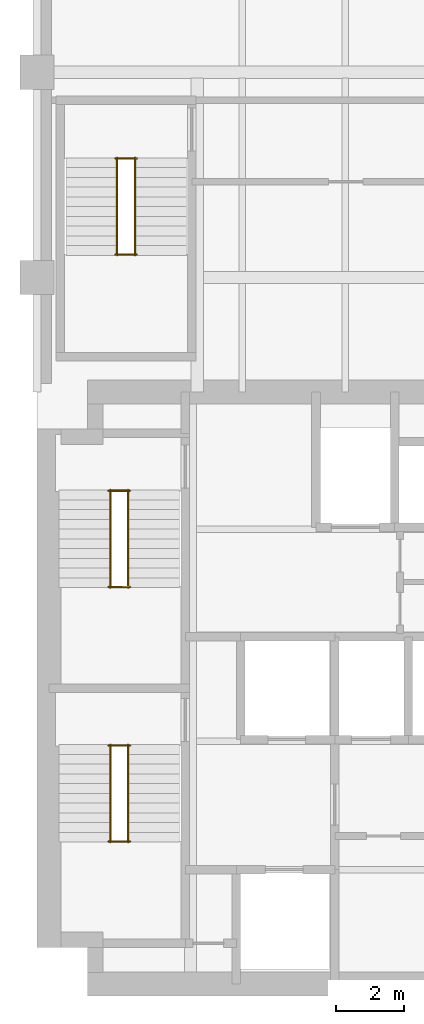
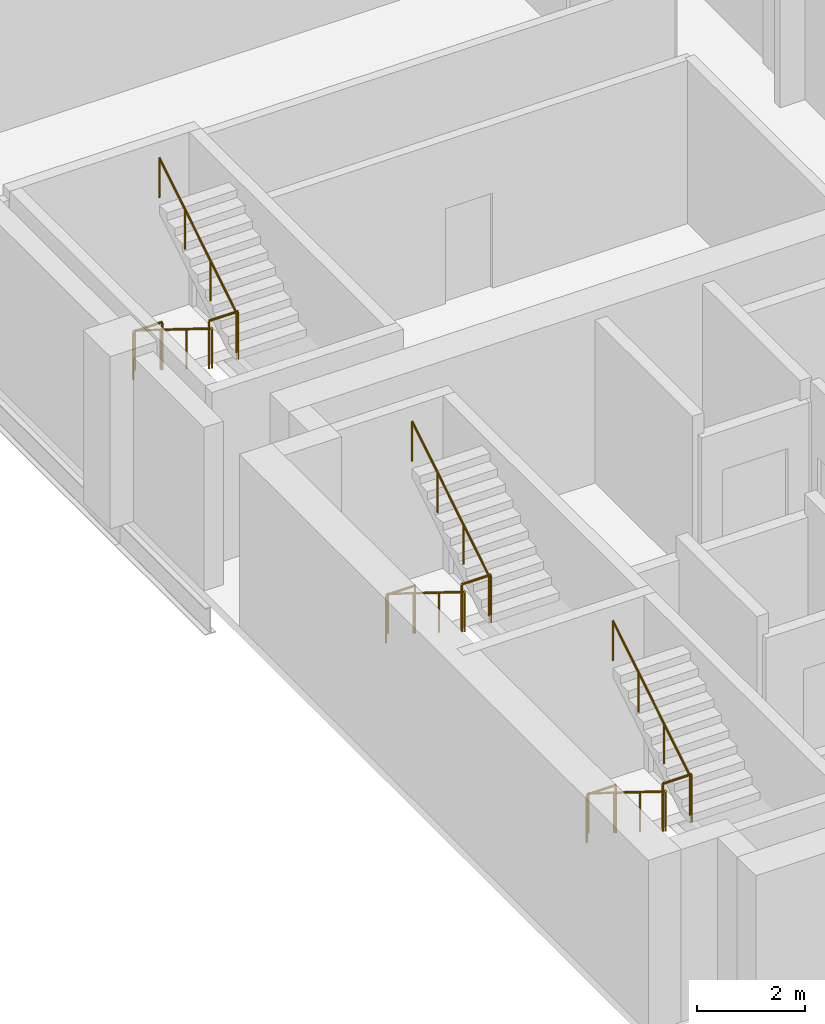
# One storey, part 8 of 8: 12 railings.
"""IFC4 building model written with IfcOpenShell, lengths in metres."""

import ifcopenshell
import ifcopenshell.guid

model = None  # the IFC model being written
_history = None  # IfcOwnerHistory: only IFC2X3 demands one
_inside = {}  # id of a spatial element -> (the spatial element, [elements in it])
_under = {}  # id of a project, library or spatial element -> (it, [spatial elements below it])
_declared = {}  # id of a project -> (the project, [libraries it declares])
_typed = {}  # id of a type object -> (the type object, [elements of that type])
_made_of = {}  # id of a material, layer set ... -> (it, [elements and type objects made of it])


def new_model(schema):
    """Start an empty IFC model of exactly this schema.

    Asked for "IFC4X3", IfcOpenShell would pick the latest addendum, in which some entities
    have other attributes; the version numbers below select the first issue.
    IFC2X3 requires an IfcOwnerHistory on every rooted entity: one is made here for all.
    """
    global model, _history
    if schema == "IFC4X3":
        model = ifcopenshell.file(schema_version=(4, 3, 0, 0))
    else:
        model = ifcopenshell.file(schema=schema)
    _inside.clear()
    _under.clear()
    _declared.clear()
    _typed.clear()
    _made_of.clear()
    _history = None
    if model.schema == "IFC2X3":
        org = make("IfcOrganization", Name="unknown")
        user = make(
            "IfcPersonAndOrganization",
            ThePerson=make("IfcPerson", FamilyName="unknown"),
            TheOrganization=org,
        )
        app = make(
            "IfcApplication",
            ApplicationDeveloper=org,
            Version="unknown",
            ApplicationFullName="unknown",
            ApplicationIdentifier="unknown",
        )
        _history = make(
            "IfcOwnerHistory",
            OwningUser=user,
            OwningApplication=app,
            ChangeAction="ADDED",
            CreationDate=0,
        )
    return model


def make(cls, **values):
    """One entity of the class cls with the attributes given. An attribute that is None is left unset."""
    return model.create_entity(
        cls, **{name: value for name, value in values.items() if value is not None}
    )


def rooted(cls, **values):
    """An entity with a GlobalId (a new one), such as an element, a storey or a relation."""
    return make(cls, GlobalId=ifcopenshell.guid.new(), OwnerHistory=_history, **values)


def si_unit(unit_type, name, prefix=None):
    """IfcSIUnit, for example si_unit("LENGTHUNIT", "METRE", prefix="MILLI")."""
    return make("IfcSIUnit", UnitType=unit_type, Prefix=prefix, Name=name)


def assignment(units):
    """IfcUnitAssignment: the units of a project."""
    return None if units is None else make("IfcUnitAssignment", Units=units)


def point(xyz):
    """IfcCartesianPoint."""
    return None if xyz is None else make("IfcCartesianPoint", Coordinates=xyz)


def direction(xyz):
    """IfcDirection."""
    return None if xyz is None else make("IfcDirection", DirectionRatios=xyz)


def frame(location, z_axis=None, x_axis=None):
    """IfcAxis2Placement3D, a coordinate frame: its origin and axes. An axis left out is left unset."""
    return make(
        "IfcAxis2Placement3D",
        Location=point(location),
        Axis=direction(z_axis),
        RefDirection=direction(x_axis),
    )


def frame_2d(location, x_axis=None):
    """IfcAxis2Placement2D, a coordinate frame in the plane: its origin and x axis."""
    return make(
        "IfcAxis2Placement2D", Location=point(location), RefDirection=direction(x_axis)
    )


def origin():
    """The frame at (0, 0, 0) with its axes left unset."""
    return frame((0.0, 0.0, 0.0))


def origin_2d():
    """The frame at (0, 0) in the plane with its x axis left unset."""
    return frame_2d((0.0, 0.0))


def place(relative_to, where):
    """IfcLocalPlacement: puts the frame where relative to a parent placement (None: the world)."""
    return make(
        "IfcLocalPlacement", PlacementRelTo=relative_to, RelativePlacement=where
    )


def context(
    kind, dimensions, precision=None, world=None, true_north=None, identifier=None
):
    """IfcGeometricRepresentationContext, for example the 3D "Model" context."""
    return make(
        "IfcGeometricRepresentationContext",
        ContextIdentifier=identifier,
        ContextType=kind,
        CoordinateSpaceDimension=dimensions,
        Precision=precision,
        WorldCoordinateSystem=world,
        TrueNorth=true_north,
    )


def subcontext(parent, identifier, kind, view, scale=None):
    """IfcGeometricRepresentationSubContext, for example "Body" below "Model"."""
    return make(
        "IfcGeometricRepresentationSubContext",
        ContextIdentifier=identifier,
        ContextType=kind,
        ParentContext=parent,
        TargetScale=scale,
        TargetView=view,
    )


def project(units=None, contexts=None):
    """IfcProject with its units and contexts."""
    return rooted(
        "IfcProject",
        Name="project",
        RepresentationContexts=contexts,
        UnitsInContext=assignment(units),
    )


def spatial(cls, under=None, at=None, **own):
    """A site, building, storey or space (cls), placed at a placement, below another one or the project."""
    s = rooted(cls, ObjectPlacement=at, **own)
    if under is not None:
        _under.setdefault(under.id(), (under, []))[1].append(s)
    return s


def profile(cls, at=None, kind="AREA", **sizes):
    """A parametric profile (cls). Its sizes go by their IFC names, for example OverallWidth=200.0."""
    return make(cls, ProfileType=kind, Position=at, **sizes)


def circle(**sizes):
    """IfcCircleProfileDef."""
    return profile("IfcCircleProfileDef", **sizes)


def extrude(swept, where, along, depth):
    """IfcExtrudedAreaSolid: the profile swept, set in the frame where, extruded along a direction by depth."""
    return make(
        "IfcExtrudedAreaSolid",
        SweptArea=swept,
        Position=where,
        ExtrudedDirection=direction(along),
        Depth=depth,
    )


def shape(context_of_items, identifier, shape_type, items):
    """IfcShapeRepresentation: the items that make up one representation, for example the "Body"."""
    return make(
        "IfcShapeRepresentation",
        ContextOfItems=context_of_items,
        RepresentationIdentifier=identifier,
        RepresentationType=shape_type,
        Items=items,
    )


def material(Name=None, Category=None):
    """IfcMaterial."""
    return make("IfcMaterial", Name=Name, Category=Category)


def made_of(thing, what):
    """Note that an element or type object is made of a material, layer set ...; save() writes the relation."""
    if what is not None:
        _made_of.setdefault(what.id(), (what, []))[1].append(thing)
    return thing


def type_object(cls, material=None, **own):
    """A type object (cls), such as IfcWallType, which elements share."""
    return made_of(rooted(cls, **own), material)


def element(
    cls,
    number,
    at=None,
    inside=None,
    cuts=None,
    type_object=None,
    material=None,
    context=None,
    identifier="Body",
    shape_type=None,
    held_by="IfcProductDefinitionShape",
    body=None,
    shapes=None,
    **own,
):
    """One element of the class cls, such as IfcWall. Its Tag is "e" and its number.

    at: its placement. inside: the storey or other place that contains it. cuts: it is an
    opening in that element (IfcRelVoidsElement). A single representation is given by context,
    identifier, shape_type and body (its items); several are given by shapes. held_by: the class
    of the entity that holds the representations. save() writes the other relations.
    """
    e = rooted(cls, Tag="e%d" % number, ObjectPlacement=at, **own)
    if body is not None:
        shapes = [shape(context, identifier, shape_type, body)]
    if shapes is not None:
        e.Representation = make(held_by, Representations=shapes)
    if inside is not None:
        _inside.setdefault(inside.id(), (inside, []))[1].append(e)
    if cuts is not None:
        rooted(
            "IfcRelVoidsElement", RelatingBuildingElement=cuts, RelatedOpeningElement=e
        )
    if type_object is not None:
        _typed.setdefault(type_object.id(), (type_object, []))[1].append(e)
    return made_of(e, material)


def aggregate(whole, parts):
    """IfcRelAggregates: a whole, such as a stair, and the parts it consists of."""
    return rooted("IfcRelAggregates", RelatingObject=whole, RelatedObjects=parts)


def save(model, path):
    """Write the relations noted so far, then the file.

    IfcRelAggregates (storeys below a building ...), IfcRelContainedInSpatialStructure (elements
    in a storey), IfcRelDefinesByType, IfcRelAssociatesMaterial and IfcRelDeclares: one each for
    every whole, place, type object, material and project.
    """
    for whole, parts in _under.values():
        aggregate(whole, parts)
    for where, things in _inside.values():
        rooted(
            "IfcRelContainedInSpatialStructure",
            RelatedElements=things,
            RelatingStructure=where,
        )
    for kind, things in _typed.values():
        rooted("IfcRelDefinesByType", RelatedObjects=things, RelatingType=kind)
    for what, things in _made_of.values():
        rooted("IfcRelAssociatesMaterial", RelatedObjects=things, RelatingMaterial=what)
    for by, libraries in _declared.values():
        rooted("IfcRelDeclares", RelatingContext=by, RelatedDefinitions=libraries)
    model.write(path)


model = new_model("IFC4")

# Units and contexts
model_context = context("Model", 3, precision=1e-05, world=origin(), true_north=direction((0.0, 1.0)))
body_context = subcontext(model_context, "Body", "Model", "MODEL_VIEW")
ifc_project = project(units=[si_unit("LENGTHUNIT", "METRE"), si_unit("AREAUNIT", "SQUARE_METRE"), si_unit("VOLUMEUNIT", "CUBIC_METRE"), si_unit("PLANEANGLEUNIT", "RADIAN"), si_unit("MASSUNIT", "GRAM", prefix="KILO")], contexts=[model_context])

# Site, building, storey
site_placement = place(None, origin())
site = spatial("IfcSite", under=ifc_project, at=site_placement, CompositionType="ELEMENT")
building_placement = place(site_placement, origin())
building = spatial("IfcBuilding", under=site, at=building_placement, Name="Mawjdan Bourse Tower", CompositionType="ELEMENT")
storey_placement = place(building_placement, frame((0.0, 0.0, 132.300048828125)))
storey = spatial("IfcBuildingStorey", under=building, at=storey_placement, Name="L31", CompositionType="ELEMENT", Elevation=132.300048828125)

# Railings
ifc_material_1 = material(Name="Structural Steel S355", Category="steel")
railing_type_1 = type_object("IfcRailingType", Name="RLG-GRD-1100", PredefinedType="GUARDRAIL", material=ifc_material_1)
for number, where, name in (
    (1, (8.090087890625, 7.52001953125, 1.949951171875), "L31 ST1 Landing Guardrail GL-MID"),
    (2, (8.090087890625, 10.330078125, 0.0), "L31 ST1 Landing Guardrail GL-BOT"),
    (3, (8.090087890625, 14.9599609375, 1.949951171875), "L31 ST2 Landing Guardrail GL-MID"),
    (4, (8.090087890625, 17.77001953125, 0.0), "L31 ST2 Landing Guardrail GL-BOT"),
    (5, (8.2900390625, 24.669921875, 1.949951171875), "L31 ST3 Landing Guardrail GL-MID"),
    (6, (8.2900390625, 27.47998046875, 0.0), "L31 ST3 Landing Guardrail GL-BOT"),
):
    element("IfcRailing", number, at=place(storey_placement, frame(where)), inside=storey, type_object=railing_type_1, Name=name, PredefinedType="GUARDRAIL", context=body_context, shape_type="SweptSolid", body=[
        extrude(circle(Radius=0.02490234375, at=origin_2d()), frame((0.0, 0.0, 1.0751953125), z_axis=(1.0, 0.0, 0.0), x_axis=(0.0, 1.0, 0.0)), (0.0, 0.0, 1.0), 0.619873046875),
        extrude(circle(Radius=0.02099609375, at=origin_2d()), origin(), (0.0, 0.0, 1.0), 1.050048828125),
        extrude(circle(Radius=0.02099609375, at=origin_2d()), frame((0.619873046875, 0.0, 0.0)), (0.0, 0.0, 1.0), 1.050048828125),
    ])
ifc_material_2 = material(Name="Brushed Stainless Steel", Category="steel")
railing_type_2 = type_object("IfcRailingType", Name="RLG-HND-920", PredefinedType="HANDRAIL", material=ifc_material_2)
railing_1_placement = place(storey_placement, frame((8.139892578125, 10.35009765625, 0.17724609375)))
element("IfcRailing", 7, at=railing_1_placement, inside=storey, type_object=railing_type_2, Name="L31 ST1 Flight Handrail HR1", PredefinedType="HANDRAIL", context=body_context, shape_type="SweptSolid", body=[
    extrude(circle(Radius=0.0224609375, at=origin_2d()), frame((0.0, 0.0, 0.8974609375), z_axis=(0.0, -0.849148672731, 0.528153890072), x_axis=(1.0, 0.0, 0.0)), (0.0, 0.0, 1.0), 3.3564453125),
    extrude(circle(Radius=0.01904296875, at=origin_2d()), origin(), (0.0, 0.0, 1.0), 0.875),
    extrude(circle(Radius=0.01904296875, at=origin_2d()), frame((0.0, -0.949951171875, 0.5908203125)), (0.0, 0.0, 1.0), 0.875),
    extrude(circle(Radius=0.01904296875, at=origin_2d()), frame((0.0, -1.900146484375, 1.181884765625)), (0.0, 0.0, 1.0), 0.875),
    extrude(circle(Radius=0.01904296875, at=origin_2d()), frame((0.0, -2.85009765625, 1.772705078125)), (0.0, 0.0, 1.0), 0.875),
])
railing_2_placement = place(storey_placement, frame((8.659912109375, 7.5, 2.127197265625)))
element("IfcRailing", 8, at=railing_2_placement, inside=storey, type_object=railing_type_2, Name="L31 ST1 Flight Handrail HR2", PredefinedType="HANDRAIL", context=body_context, shape_type="SweptSolid", body=[
    extrude(circle(Radius=0.0224609375, at=origin_2d()), frame((0.0, 0.0, 0.8974609375), z_axis=(0.0, 0.849148672731, 0.528153890072), x_axis=(-1.0, 0.0, 0.0)), (0.0, 0.0, 1.0), 3.3564453125),
    extrude(circle(Radius=0.01904296875, at=origin_2d()), origin(), (0.0, 0.0, 1.0), 0.875),
    extrude(circle(Radius=0.01904296875, at=origin_2d()), frame((0.0, 0.949951171875, 0.5908203125)), (0.0, 0.0, 1.0), 0.875),
    extrude(circle(Radius=0.01904296875, at=origin_2d()), frame((0.0, 1.900146484375, 1.181884765625)), (0.0, 0.0, 1.0), 0.875),
    extrude(circle(Radius=0.01904296875, at=origin_2d()), frame((0.0, 2.85009765625, 1.772705078125)), (0.0, 0.0, 1.0), 0.875),
])
railing_3_placement = place(storey_placement, frame((8.139892578125, 17.7900390625, 0.17724609375)))
element("IfcRailing", 9, at=railing_3_placement, inside=storey, type_object=railing_type_2, Name="L31 ST2 Flight Handrail HR1", PredefinedType="HANDRAIL", context=body_context, shape_type="SweptSolid", body=[
    extrude(circle(Radius=0.0224609375, at=origin_2d()), frame((0.0, 0.0, 0.8974609375), z_axis=(0.0, -0.849148672731, 0.528153890072), x_axis=(1.0, 0.0, 0.0)), (0.0, 0.0, 1.0), 3.3564453125),
    extrude(circle(Radius=0.01904296875, at=origin_2d()), origin(), (0.0, 0.0, 1.0), 0.875),
    extrude(circle(Radius=0.01904296875, at=origin_2d()), frame((0.0, -0.949951171875, 0.5908203125)), (0.0, 0.0, 1.0), 0.875),
    extrude(circle(Radius=0.01904296875, at=origin_2d()), frame((0.0, -1.900146484375, 1.181884765625)), (0.0, 0.0, 1.0), 0.875),
    extrude(circle(Radius=0.01904296875, at=origin_2d()), frame((0.0, -2.85009765625, 1.772705078125)), (0.0, 0.0, 1.0), 0.875),
])
railing_4_placement = place(storey_placement, frame((8.659912109375, 14.93994140625, 2.127197265625)))
element("IfcRailing", 10, at=railing_4_placement, inside=storey, type_object=railing_type_2, Name="L31 ST2 Flight Handrail HR2", PredefinedType="HANDRAIL", context=body_context, shape_type="SweptSolid", body=[
    extrude(circle(Radius=0.0224609375, at=origin_2d()), frame((0.0, 0.0, 0.8974609375), z_axis=(0.0, 0.849148672731, 0.528153890072), x_axis=(-1.0, 0.0, 0.0)), (0.0, 0.0, 1.0), 3.3564453125),
    extrude(circle(Radius=0.01904296875, at=origin_2d()), origin(), (0.0, 0.0, 1.0), 0.875),
    extrude(circle(Radius=0.01904296875, at=origin_2d()), frame((0.0, 0.949951171875, 0.5908203125)), (0.0, 0.0, 1.0), 0.875),
    extrude(circle(Radius=0.01904296875, at=origin_2d()), frame((0.0, 1.900146484375, 1.181884765625)), (0.0, 0.0, 1.0), 0.875),
    extrude(circle(Radius=0.01904296875, at=origin_2d()), frame((0.0, 2.85009765625, 1.772705078125)), (0.0, 0.0, 1.0), 0.875),
])
railing_5_placement = place(storey_placement, frame((8.340087890625, 27.5, 0.17724609375)))
element("IfcRailing", 11, at=railing_5_placement, inside=storey, type_object=railing_type_2, Name="L31 ST3 Flight Handrail HR1", PredefinedType="HANDRAIL", context=body_context, shape_type="SweptSolid", body=[
    extrude(circle(Radius=0.0224609375, at=origin_2d()), frame((0.0, 0.0, 0.8974609375), z_axis=(0.0, -0.849148672731, 0.528153890072), x_axis=(1.0, 0.0, 0.0)), (0.0, 0.0, 1.0), 3.3564453125),
    extrude(circle(Radius=0.01904296875, at=origin_2d()), origin(), (0.0, 0.0, 1.0), 0.875),
    extrude(circle(Radius=0.01904296875, at=origin_2d()), frame((0.0, -0.949951171875, 0.5908203125)), (0.0, 0.0, 1.0), 0.875),
    extrude(circle(Radius=0.01904296875, at=origin_2d()), frame((0.0, -1.900146484375, 1.181884765625)), (0.0, 0.0, 1.0), 0.875),
    extrude(circle(Radius=0.01904296875, at=origin_2d()), frame((0.0, -2.85009765625, 1.772705078125)), (0.0, 0.0, 1.0), 0.875),
])
railing_6_placement = place(storey_placement, frame((8.860107421875, 24.64990234375, 2.127197265625)))
element("IfcRailing", 12, at=railing_6_placement, inside=storey, type_object=railing_type_2, Name="L31 ST3 Flight Handrail HR2", PredefinedType="HANDRAIL", context=body_context, shape_type="SweptSolid", body=[
    extrude(circle(Radius=0.0224609375, at=origin_2d()), frame((0.0, 0.0, 0.8974609375), z_axis=(0.0, 0.849148672731, 0.528153890072), x_axis=(-1.0, 0.0, 0.0)), (0.0, 0.0, 1.0), 3.3564453125),
    extrude(circle(Radius=0.01904296875, at=origin_2d()), origin(), (0.0, 0.0, 1.0), 0.875),
    extrude(circle(Radius=0.01904296875, at=origin_2d()), frame((0.0, 0.949951171875, 0.5908203125)), (0.0, 0.0, 1.0), 0.875),
    extrude(circle(Radius=0.01904296875, at=origin_2d()), frame((0.0, 1.900146484375, 1.181884765625)), (0.0, 0.0, 1.0), 0.875),
    extrude(circle(Radius=0.01904296875, at=origin_2d()), frame((0.0, 2.85009765625, 1.772705078125)), (0.0, 0.0, 1.0), 0.875),
])

save(model, "model.ifc")
